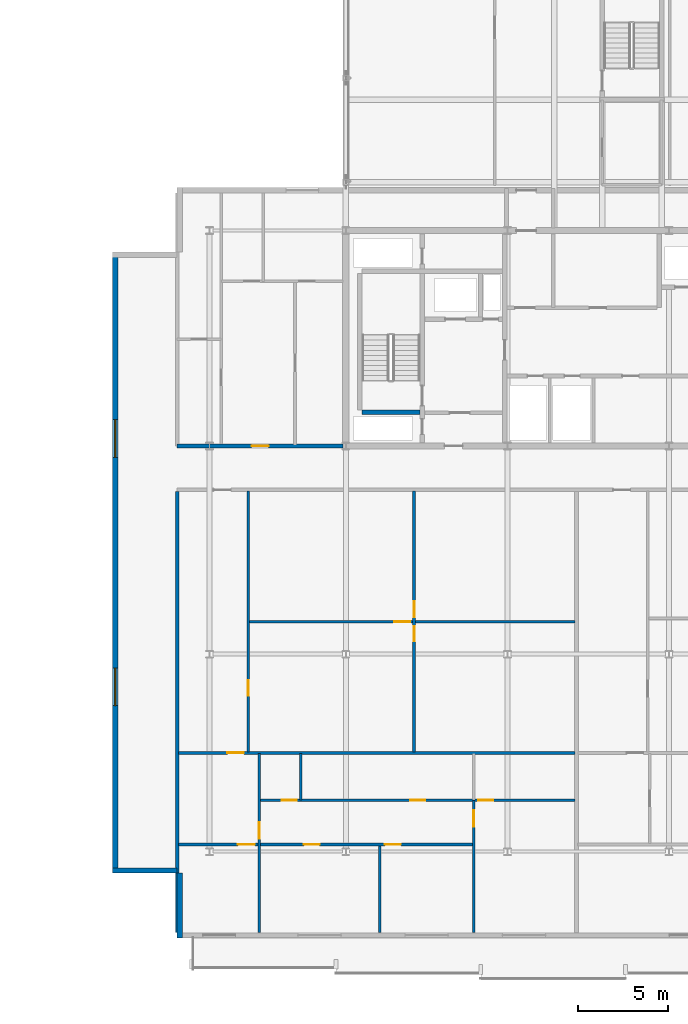
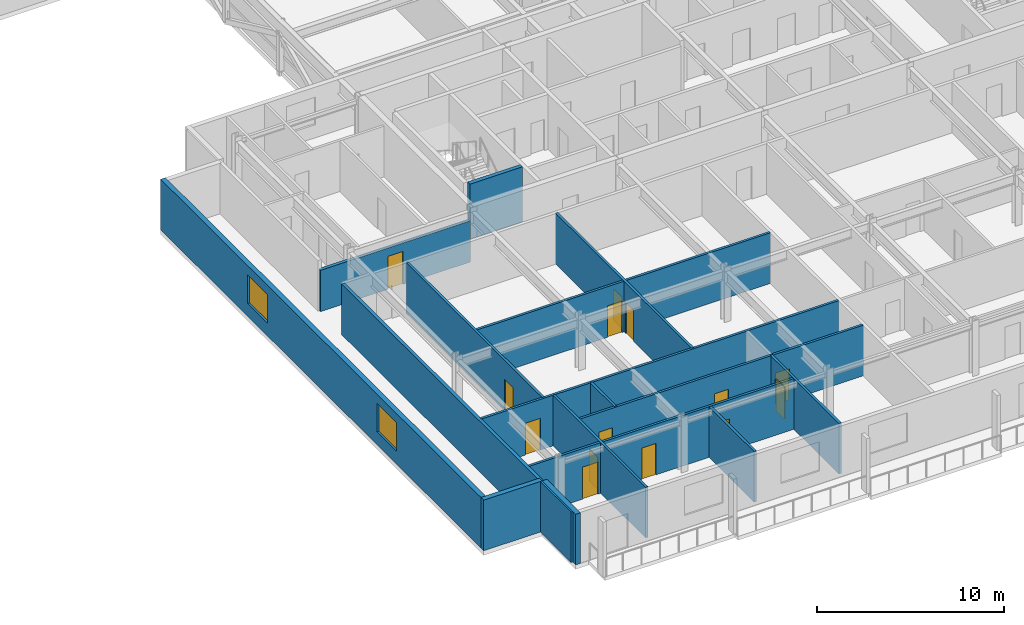
# One storey, part 17 of 36: 16 walls, 14 doors, 2 windows, 16 openings.
"""IFC4 building model written with IfcOpenShell, lengths in metres."""

import ifcopenshell
import ifcopenshell.guid

model = None  # the IFC model being written
_history = None  # IfcOwnerHistory: only IFC2X3 demands one
_inside = {}  # id of a spatial element -> (the spatial element, [elements in it])
_under = {}  # id of a project, library or spatial element -> (it, [spatial elements below it])
_declared = {}  # id of a project -> (the project, [libraries it declares])
_typed = {}  # id of a type object -> (the type object, [elements of that type])
_made_of = {}  # id of a material, layer set ... -> (it, [elements and type objects made of it])


def new_model(schema):
    """Start an empty IFC model of exactly this schema.

    Asked for "IFC4X3", IfcOpenShell would pick the latest addendum, in which some entities
    have other attributes; the version numbers below select the first issue.
    IFC2X3 requires an IfcOwnerHistory on every rooted entity: one is made here for all.
    """
    global model, _history
    if schema == "IFC4X3":
        model = ifcopenshell.file(schema_version=(4, 3, 0, 0))
    else:
        model = ifcopenshell.file(schema=schema)
    _inside.clear()
    _under.clear()
    _declared.clear()
    _typed.clear()
    _made_of.clear()
    _history = None
    if model.schema == "IFC2X3":
        org = make("IfcOrganization", Name="unknown")
        user = make(
            "IfcPersonAndOrganization",
            ThePerson=make("IfcPerson", FamilyName="unknown"),
            TheOrganization=org,
        )
        app = make(
            "IfcApplication",
            ApplicationDeveloper=org,
            Version="unknown",
            ApplicationFullName="unknown",
            ApplicationIdentifier="unknown",
        )
        _history = make(
            "IfcOwnerHistory",
            OwningUser=user,
            OwningApplication=app,
            ChangeAction="ADDED",
            CreationDate=0,
        )
    return model


def make(cls, **values):
    """One entity of the class cls with the attributes given. An attribute that is None is left unset."""
    return model.create_entity(
        cls, **{name: value for name, value in values.items() if value is not None}
    )


def rooted(cls, **values):
    """An entity with a GlobalId (a new one), such as an element, a storey or a relation."""
    return make(cls, GlobalId=ifcopenshell.guid.new(), OwnerHistory=_history, **values)


def si_unit(unit_type, name, prefix=None):
    """IfcSIUnit, for example si_unit("LENGTHUNIT", "METRE", prefix="MILLI")."""
    return make("IfcSIUnit", UnitType=unit_type, Prefix=prefix, Name=name)


def assignment(units):
    """IfcUnitAssignment: the units of a project."""
    return None if units is None else make("IfcUnitAssignment", Units=units)


def point(xyz):
    """IfcCartesianPoint."""
    return None if xyz is None else make("IfcCartesianPoint", Coordinates=xyz)


def direction(xyz):
    """IfcDirection."""
    return None if xyz is None else make("IfcDirection", DirectionRatios=xyz)


def frame(location, z_axis=None, x_axis=None):
    """IfcAxis2Placement3D, a coordinate frame: its origin and axes. An axis left out is left unset."""
    return make(
        "IfcAxis2Placement3D",
        Location=point(location),
        Axis=direction(z_axis),
        RefDirection=direction(x_axis),
    )


def frame_2d(location, x_axis=None):
    """IfcAxis2Placement2D, a coordinate frame in the plane: its origin and x axis."""
    return make(
        "IfcAxis2Placement2D", Location=point(location), RefDirection=direction(x_axis)
    )


def origin():
    """The frame at (0, 0, 0) with its axes left unset."""
    return frame((0.0, 0.0, 0.0))


def place(relative_to, where):
    """IfcLocalPlacement: puts the frame where relative to a parent placement (None: the world)."""
    return make(
        "IfcLocalPlacement", PlacementRelTo=relative_to, RelativePlacement=where
    )


def context(
    kind, dimensions, precision=None, world=None, true_north=None, identifier=None
):
    """IfcGeometricRepresentationContext, for example the 3D "Model" context."""
    return make(
        "IfcGeometricRepresentationContext",
        ContextIdentifier=identifier,
        ContextType=kind,
        CoordinateSpaceDimension=dimensions,
        Precision=precision,
        WorldCoordinateSystem=world,
        TrueNorth=true_north,
    )


def subcontext(parent, identifier, kind, view, scale=None):
    """IfcGeometricRepresentationSubContext, for example "Body" below "Model"."""
    return make(
        "IfcGeometricRepresentationSubContext",
        ContextIdentifier=identifier,
        ContextType=kind,
        ParentContext=parent,
        TargetScale=scale,
        TargetView=view,
    )


def project(units=None, contexts=None):
    """IfcProject with its units and contexts."""
    return rooted(
        "IfcProject",
        Name="project",
        RepresentationContexts=contexts,
        UnitsInContext=assignment(units),
    )


def spatial(cls, under=None, at=None, **own):
    """A site, building, storey or space (cls), placed at a placement, below another one or the project."""
    s = rooted(cls, ObjectPlacement=at, **own)
    if under is not None:
        _under.setdefault(under.id(), (under, []))[1].append(s)
    return s


def profile(cls, at=None, kind="AREA", **sizes):
    """A parametric profile (cls). Its sizes go by their IFC names, for example OverallWidth=200.0."""
    return make(cls, ProfileType=kind, Position=at, **sizes)


def rectangle(**sizes):
    """IfcRectangleProfileDef."""
    return profile("IfcRectangleProfileDef", **sizes)


def extrude(swept, where, along, depth):
    """IfcExtrudedAreaSolid: the profile swept, set in the frame where, extruded along a direction by depth."""
    return make(
        "IfcExtrudedAreaSolid",
        SweptArea=swept,
        Position=where,
        ExtrudedDirection=direction(along),
        Depth=depth,
    )


def shape(context_of_items, identifier, shape_type, items):
    """IfcShapeRepresentation: the items that make up one representation, for example the "Body"."""
    return make(
        "IfcShapeRepresentation",
        ContextOfItems=context_of_items,
        RepresentationIdentifier=identifier,
        RepresentationType=shape_type,
        Items=items,
    )


def material(Name=None, Category=None):
    """IfcMaterial."""
    return make("IfcMaterial", Name=Name, Category=Category)


def layer(
    of_material, thickness, ventilated=None, Name=None, Category=None, Priority=None
):
    """IfcMaterialLayer: one layer of a wall or slab, of a material (None: an air gap)."""
    return make(
        "IfcMaterialLayer",
        Material=of_material,
        LayerThickness=thickness,
        IsVentilated=ventilated,
        Name=Name,
        Category=Category,
        Priority=Priority,
    )


def layer_set(layers, Name=None):
    """IfcMaterialLayerSet."""
    return make("IfcMaterialLayerSet", MaterialLayers=layers, LayerSetName=Name)


def made_of(thing, what):
    """Note that an element or type object is made of a material, layer set ...; save() writes the relation."""
    if what is not None:
        _made_of.setdefault(what.id(), (what, []))[1].append(thing)
    return thing


def type_object(cls, material=None, **own):
    """A type object (cls), such as IfcWallType, which elements share."""
    return made_of(rooted(cls, **own), material)


def element(
    cls,
    number,
    at=None,
    inside=None,
    cuts=None,
    type_object=None,
    material=None,
    context=None,
    identifier="Body",
    shape_type=None,
    held_by="IfcProductDefinitionShape",
    body=None,
    shapes=None,
    **own,
):
    """One element of the class cls, such as IfcWall. Its Tag is "e" and its number.

    at: its placement. inside: the storey or other place that contains it. cuts: it is an
    opening in that element (IfcRelVoidsElement). A single representation is given by context,
    identifier, shape_type and body (its items); several are given by shapes. held_by: the class
    of the entity that holds the representations. save() writes the other relations.
    """
    e = rooted(cls, Tag="e%d" % number, ObjectPlacement=at, **own)
    if body is not None:
        shapes = [shape(context, identifier, shape_type, body)]
    if shapes is not None:
        e.Representation = make(held_by, Representations=shapes)
    if inside is not None:
        _inside.setdefault(inside.id(), (inside, []))[1].append(e)
    if cuts is not None:
        rooted(
            "IfcRelVoidsElement", RelatingBuildingElement=cuts, RelatedOpeningElement=e
        )
    if type_object is not None:
        _typed.setdefault(type_object.id(), (type_object, []))[1].append(e)
    return made_of(e, material)


def fill(opening, filler):
    """IfcRelFillsElement: the door or window that sits in an opening."""
    return rooted(
        "IfcRelFillsElement",
        RelatingOpeningElement=opening,
        RelatedBuildingElement=filler,
    )


def aggregate(whole, parts):
    """IfcRelAggregates: a whole, such as a stair, and the parts it consists of."""
    return rooted("IfcRelAggregates", RelatingObject=whole, RelatedObjects=parts)


def save(model, path):
    """Write the relations noted so far, then the file.

    IfcRelAggregates (storeys below a building ...), IfcRelContainedInSpatialStructure (elements
    in a storey), IfcRelDefinesByType, IfcRelAssociatesMaterial and IfcRelDeclares: one each for
    every whole, place, type object, material and project.
    """
    for whole, parts in _under.values():
        aggregate(whole, parts)
    for where, things in _inside.values():
        rooted(
            "IfcRelContainedInSpatialStructure",
            RelatedElements=things,
            RelatingStructure=where,
        )
    for kind, things in _typed.values():
        rooted("IfcRelDefinesByType", RelatedObjects=things, RelatingType=kind)
    for what, things in _made_of.values():
        rooted("IfcRelAssociatesMaterial", RelatedObjects=things, RelatingMaterial=what)
    for by, libraries in _declared.values():
        rooted("IfcRelDeclares", RelatingContext=by, RelatedDefinitions=libraries)
    model.write(path)


model = new_model("IFC4")

# Units and contexts
model_context = context("Model", 3, precision=1e-05, world=origin(), true_north=direction((0.0, 1.0)))
body_context = subcontext(model_context, "Body", "Model", "MODEL_VIEW")
ifc_project = project(units=[si_unit("LENGTHUNIT", "METRE"), si_unit("AREAUNIT", "SQUARE_METRE"), si_unit("VOLUMEUNIT", "CUBIC_METRE"), si_unit("PLANEANGLEUNIT", "RADIAN"), si_unit("MASSUNIT", "GRAM", prefix="KILO")], contexts=[model_context])

# Site, building, storey
site_placement = place(None, origin())
site = spatial("IfcSite", under=ifc_project, at=site_placement, CompositionType="ELEMENT")
building_placement = place(site_placement, origin())
building = spatial("IfcBuilding", under=site, at=building_placement, Name="Korimba Cascade Residences", CompositionType="ELEMENT")
storey_placement = place(building_placement, frame((0.0, 0.0, 142.89990234375)))
storey = spatial("IfcBuildingStorey", under=building, at=storey_placement, Name="L41", CompositionType="ELEMENT", Elevation=142.89990234375)

# Wall, openings, windows
ifc_material_1 = material(Name="Precast concrete C40/50", Category="concrete")
ifc_layer_1 = layer(ifc_material_1, 0.300048828125)
ifc_layer_set_1 = layer_set([ifc_layer_1], Name="Precast concrete C40/50")
wall_type_1 = type_object("IfcWallType", Name="EW-STONE-300", PredefinedType="STANDARD", material=ifc_layer_set_1)
wall_1_placement = place(storey_placement, frame((69.25, 29.199951171875, 0.0), z_axis=(0.0, 0.0, 1.0), x_axis=(0.0, -1.0, 0.0)))
wall_1 = element("IfcWall", 1, at=wall_1_placement, inside=storey, type_object=wall_type_1, Name="L41 T2 Perimeter Stone Wall E09", PredefinedType="STANDARD", context=body_context, shape_type="SweptSolid", body=[
    extrude(rectangle(XDim=34.599853515625, YDim=0.300048828125, at=frame_2d((17.2998046875, 0.0))), origin(), (0.0, 0.0, 1.0), 3.31005859375),
])
opening_1_placement = place(wall_1_placement, frame((9.330078125, 0.0, 0.85009765625)))
opening_1 = element("IfcOpeningElement", 2, at=opening_1_placement, cuts=wall_1, Name="Opening W-03", PredefinedType="OPENING", context=body_context, shape_type="SweptSolid", body=[
    extrude(rectangle(XDim=2.10009765625, YDim=1.85009765625, at=frame_2d((1.050048828125, 0.925048828125))), frame((0.0, 0.16015625, 0.0), z_axis=(0.0, -1.0, 0.0), x_axis=(1.0, 0.0, 0.0)), (0.0, 0.0, 1.0), 0.320068359375),
])
opening_2_placement = place(wall_1_placement, frame((23.169921875, 0.0, 0.85009765625)))
opening_2 = element("IfcOpeningElement", 3, at=opening_2_placement, cuts=wall_1, Name="Opening W-03", PredefinedType="OPENING", context=body_context, shape_type="SweptSolid", body=[
    extrude(rectangle(XDim=2.10009765625, YDim=1.85009765625, at=frame_2d((1.050048828125, 0.925048828125))), frame((0.0, 0.16015625, 0.0), z_axis=(0.0, -1.0, 0.0), x_axis=(1.0, 0.0, 0.0)), (0.0, 0.0, 1.0), 0.320068359375),
])
ifc_material_2 = material(Name="Double-Glazed Aluminium Window", Category="aluminium")
window_type = type_object("IfcWindowType", Name="WIN-CRN-2100", PartitioningType="DOUBLE_PANEL_HORIZONTAL", PredefinedType="WINDOW", material=ifc_material_2)
window_1_placement = place(opening_1_placement, origin())
window_1 = element("IfcWindow", 4, at=window_1_placement, inside=storey, type_object=window_type, Name="L41 T2 End View Window 9.1", OverallHeight=1.85009765625, OverallWidth=2.10009765625, PartitioningType="DOUBLE_PANEL_HORIZONTAL", PredefinedType="WINDOW", context=body_context, shape_type="SweptSolid", body=[
    extrude(rectangle(XDim=2.10009765625, YDim=1.85009765625, at=frame_2d((1.050048828125, 0.925048828125))), frame((0.0, 0.030029296875, 0.0), z_axis=(0.0, -1.0, 0.0), x_axis=(1.0, 0.0, 0.0)), (0.0, 0.0, 1.0), 0.06005859375),
])
fill(opening_1, window_1)
window_2_placement = place(opening_2_placement, origin())
window_2 = element("IfcWindow", 5, at=window_2_placement, inside=storey, type_object=window_type, Name="L41 T2 End View Window 9.2", OverallHeight=1.85009765625, OverallWidth=2.10009765625, PartitioningType="DOUBLE_PANEL_HORIZONTAL", PredefinedType="WINDOW", context=body_context, shape_type="SweptSolid", body=[
    extrude(rectangle(XDim=2.10009765625, YDim=1.85009765625, at=frame_2d((1.050048828125, 0.925048828125))), frame((0.0, 0.030029296875, 0.0), z_axis=(0.0, -1.0, 0.0), x_axis=(1.0, 0.0, 0.0)), (0.0, 0.0, 1.0), 0.06005859375),
])
fill(opening_2, window_2)

# Walls
wall_2_placement = place(storey_placement, frame((69.10009765625, -5.25, 0.0), z_axis=(0.0, 0.0, 1.0), x_axis=(1.0, 0.0, 0.0)))
element("IfcWall", 6, at=wall_2_placement, inside=storey, type_object=wall_type_1, Name="L41 T2 Perimeter Stone Wall E10", PredefinedType="STANDARD", context=body_context, shape_type="SweptSolid", body=[
    extrude(rectangle(XDim=3.599853515625, YDim=0.300048828125, at=frame_2d((1.7998046875, 0.0))), origin(), (0.0, 0.0, 1.0), 3.31005859375),
])
wall_3_placement = place(storey_placement, frame((72.85009765625, -5.39990234375, 0.0), z_axis=(0.0, 0.0, 1.0), x_axis=(0.0, -1.0, 0.0)))
element("IfcWall", 7, at=wall_3_placement, inside=storey, type_object=wall_type_1, Name="L41 T2 Perimeter Stone Wall E11", PredefinedType="STANDARD", context=body_context, shape_type="SweptSolid", body=[
    extrude(rectangle(XDim=3.60009765625, YDim=0.300048828125, at=frame_2d((1.800048828125, 0.0))), origin(), (0.0, 0.0, 1.0), 3.31005859375),
])

# Wall, opening, door
ifc_layer_2 = layer(ifc_material_1, 0.199951171875)
ifc_layer_set_2 = layer_set([ifc_layer_2], Name="Precast concrete C40/50")
wall_type_2 = type_object("IfcWallType", Name="WAL-IT-200", PredefinedType="PARTITIONING", material=ifc_layer_set_2)
wall_4_placement = place(storey_placement, frame((72.699951171875, 18.39990234375, 0.0), z_axis=(0.0, 0.0, 1.0), x_axis=(1.0, 0.0, 0.0)))
wall_4 = element("IfcWall", 8, at=wall_4_placement, inside=storey, type_object=wall_type_2, Name="L41 Partition Wall WAL-L41-T2-FW-S", PredefinedType="PARTITIONING", context=body_context, shape_type="SweptSolid", body=[
    extrude(rectangle(XDim=9.25, YDim=0.199951171875, at=frame_2d((4.625, 0.0))), origin(), (0.0, 0.0, 1.0), 2.697998046875),
])
opening_3_placement = place(wall_4_placement, frame((4.14990234375, 0.0, 0.0)))
opening_3 = element("IfcOpeningElement", 9, at=opening_3_placement, cuts=wall_4, Name="Opening D-UN1", PredefinedType="OPENING", context=body_context, shape_type="SweptSolid", body=[
    extrude(rectangle(XDim=0.949951171875, YDim=2.14990234375, at=frame_2d((0.47509765625, 1.074951171875))), frame((0.0, 0.10986328125, 0.0), z_axis=(0.0, -1.0, 0.0), x_axis=(1.0, 0.0, 0.0)), (0.0, 0.0, 1.0), 0.219970703125),
])
ifc_material_3 = material(Name="Fire-Rated Hardwood Apartment Entrance Door", Category="wood")
door_type_1 = type_object("IfcDoorType", Name="DR-FD60-950", OperationType="NOTDEFINED", PredefinedType="DOOR", material=ifc_material_3)
door_1_placement = place(opening_3_placement, origin())
door_1 = element("IfcDoor", 10, at=door_1_placement, inside=storey, type_object=door_type_1, Name="L41-T2-FW Entrance Door", OperationType="SINGLE_SWING_RIGHT", OverallHeight=2.14990234375, OverallWidth=0.949951171875, PredefinedType="DOOR", context=body_context, shape_type="SweptSolid", body=[
    extrude(rectangle(XDim=0.949951171875, YDim=2.14990234375, at=frame_2d((0.47509765625, 1.074951171875))), frame((0.0, 0.02490234375, 0.0), z_axis=(0.0, -1.0, 0.0), x_axis=(1.0, 0.0, 0.0)), (0.0, 0.0, 1.0), 0.050048828125),
])
fill(opening_3, door_1)

# Wall
wall_5_placement = place(storey_placement, frame((72.699951171875, -8.699951171875, 0.0), z_axis=(0.0, 0.0, 1.0), x_axis=(0.0, 1.0, 0.0)))
element("IfcWall", 11, at=wall_5_placement, inside=storey, type_object=wall_type_2, Name="L41 Partition Wall WAL-L41-T2-BNDWL", PredefinedType="PARTITIONING", context=body_context, shape_type="SweptSolid", body=[
    extrude(rectangle(XDim=24.570068359375, YDim=0.199951171875, at=frame_2d((12.28515625, 0.0))), origin(), (0.0, 0.0, 1.0), 3.31005859375),
])

# Wall, openings, doors
ifc_material_4 = material(Name="Insulated Acoustic Stud Partition", Category="gypsum")
ifc_layer_3 = layer(ifc_material_4, 0.14990234375)
ifc_layer_set_3 = layer_set([ifc_layer_3], Name="Insulated Acoustic Stud Partition")
wall_type_3 = type_object("IfcWallType", Name="WAL-PART-150", PredefinedType="PARTITIONING", material=ifc_layer_set_3)
wall_6_placement = place(storey_placement, frame((85.89990234375, 1.340087890625, 0.0), z_axis=(0.0, 0.0, 1.0), x_axis=(0.0, 1.0, 0.0)))
wall_6 = element("IfcWall", 12, at=wall_6_placement, inside=storey, type_object=wall_type_3, Name="L41 Partition Wall WAL-L41-T2-U01-FMV", PredefinedType="PARTITIONING", context=body_context, shape_type="SweptSolid", body=[
    extrude(rectangle(XDim=14.5498046875, YDim=0.14990234375, at=frame_2d((7.27490234375, 0.0))), origin(), (0.0, 0.0, 1.0), 3.31005859375),
])
opening_4_placement = place(wall_6_placement, frame((6.18505859375, 0.0, 0.0)))
opening_4 = element("IfcOpeningElement", 13, at=opening_4_placement, cuts=wall_6, Name="Opening D-BT1", PredefinedType="OPENING", context=body_context, shape_type="SweptSolid", body=[
    extrude(rectangle(XDim=0.840087890625, YDim=2.0400390625, at=frame_2d((0.419921875, 1.02001953125))), frame((0.0, 0.0849609375, 0.0), z_axis=(0.0, -1.0, 0.0), x_axis=(1.0, 0.0, 0.0)), (0.0, 0.0, 1.0), 0.169921875),
])
opening_5_placement = place(wall_6_placement, frame((7.52490234375, 0.0, 0.0)))
opening_5 = element("IfcOpeningElement", 14, at=opening_5_placement, cuts=wall_6, Name="Opening D-IN2", PredefinedType="OPENING", context=body_context, shape_type="SweptSolid", body=[
    extrude(rectangle(XDim=0.8798828125, YDim=2.06005859375, at=frame_2d((0.43994140625, 1.030029296875))), frame((0.0, 0.0849609375, 0.0), z_axis=(0.0, -1.0, 0.0), x_axis=(1.0, 0.0, 0.0)), (0.0, 0.0, 1.0), 0.169921875),
])
ifc_material_5 = material(Name="Moisture-Resistant Bathroom Timber Door", Category="wood")
door_type_2 = type_object("IfcDoorType", Name="DR-INT-850", OperationType="NOTDEFINED", PredefinedType="DOOR", material=ifc_material_5)
door_2_placement = place(opening_4_placement, origin())
door_2 = element("IfcDoor", 15, at=door_2_placement, inside=storey, type_object=door_type_2, Name="L41-T2-U01 Wardrobe Door", OperationType="SINGLE_SWING_LEFT", OverallHeight=2.0400390625, OverallWidth=0.840087890625, PredefinedType="DOOR", context=body_context, shape_type="SweptSolid", body=[
    extrude(rectangle(XDim=0.840087890625, YDim=2.0400390625, at=frame_2d((0.419921875, 1.02001953125))), frame((0.0, 0.02490234375, 0.0), z_axis=(0.0, -1.0, 0.0), x_axis=(1.0, 0.0, 0.0)), (0.0, 0.0, 1.0), 0.050048828125),
])
fill(opening_4, door_2)
ifc_material_6 = material(Name="Acoustic Timber Bedroom Door", Category="wood")
door_type_3 = type_object("IfcDoorType", Name="DR-INT-880", OperationType="NOTDEFINED", PredefinedType="DOOR", material=ifc_material_6)
door_3_placement = place(opening_5_placement, origin())
door_3 = element("IfcDoor", 16, at=door_3_placement, inside=storey, type_object=door_type_3, Name="L41-T2-U01 Music Lounge Door", OperationType="SINGLE_SWING_RIGHT", OverallHeight=2.06005859375, OverallWidth=0.8798828125, PredefinedType="DOOR", context=body_context, shape_type="SweptSolid", body=[
    extrude(rectangle(XDim=0.8798828125, YDim=2.06005859375, at=frame_2d((0.43994140625, 1.030029296875))), frame((0.0, 0.02490234375, 0.0), z_axis=(0.0, -1.0, 0.0), x_axis=(1.0, 0.0, 0.0)), (0.0, 0.0, 1.0), 0.050048828125),
])
fill(opening_5, door_3)

# Wall, opening, door
wall_7_placement = place(storey_placement, frame((76.72998046875, 8.614990234375, 0.0), z_axis=(0.0, 0.0, 1.0), x_axis=(1.0, 0.0, 0.0)))
wall_7 = element("IfcWall", 17, at=wall_7_placement, inside=storey, type_object=wall_type_3, Name="L41 Partition Wall WAL-L41-T2-U01-FMH", PredefinedType="PARTITIONING", context=body_context, shape_type="SweptSolid", body=[
    extrude(rectangle(XDim=18.14013671875, YDim=0.14990234375, at=frame_2d((9.070068359375, 0.0))), origin(), (0.0, 0.0, 1.0), 3.31005859375),
])
opening_6_placement = place(wall_7_placement, frame((8.070068359375, 0.0, 0.0)))
opening_6 = element("IfcOpeningElement", 18, at=opening_6_placement, cuts=wall_7, Name="Opening D-IN2", PredefinedType="OPENING", context=body_context, shape_type="SweptSolid", body=[
    extrude(rectangle(XDim=0.8798828125, YDim=2.06005859375, at=frame_2d((0.43994140625, 1.030029296875))), frame((0.0, 0.0849609375, 0.0), z_axis=(0.0, -1.0, 0.0), x_axis=(1.0, 0.0, 0.0)), (0.0, 0.0, 1.0), 0.169921875),
])
door_4_placement = place(opening_6_placement, origin())
door_4 = element("IfcDoor", 19, at=door_4_placement, inside=storey, type_object=door_type_3, Name="L41-T2-U01 Library Salon Door", OperationType="SINGLE_SWING_LEFT", OverallHeight=2.06005859375, OverallWidth=0.8798828125, PredefinedType="DOOR", context=body_context, shape_type="SweptSolid", body=[
    extrude(rectangle(XDim=0.8798828125, YDim=2.06005859375, at=frame_2d((0.43994140625, 1.030029296875))), frame((0.0, 0.02490234375, 0.0), z_axis=(0.0, -1.0, 0.0), x_axis=(1.0, 0.0, 0.0)), (0.0, 0.0, 1.0), 0.050048828125),
])
fill(opening_6, door_4)

wall_8_placement = place(storey_placement, frame((76.669921875, 1.340087890625, 0.0), z_axis=(0.0, 0.0, 1.0), x_axis=(0.0, 1.0, 0.0)))
wall_8 = element("IfcWall", 20, at=wall_8_placement, inside=storey, type_object=wall_type_3, Name="L41 Partition Wall WAL-L41-T2-U01-FV", PredefinedType="PARTITIONING", context=body_context, shape_type="SweptSolid", body=[
    extrude(rectangle(XDim=14.5498046875, YDim=0.14990234375, at=frame_2d((7.27490234375, 0.0))), origin(), (0.0, 0.0, 1.0), 3.31005859375),
])
opening_7_placement = place(wall_8_placement, frame((3.131591796875, 0.0, 0.0)))
opening_7 = element("IfcOpeningElement", 21, at=opening_7_placement, cuts=wall_8, Name="Opening D-IN2", PredefinedType="OPENING", context=body_context, shape_type="SweptSolid", body=[
    extrude(rectangle(XDim=0.8798828125, YDim=2.06005859375, at=frame_2d((0.43994140625, 1.030029296875))), frame((0.0, 0.0849609375, 0.0), z_axis=(0.0, -1.0, 0.0), x_axis=(1.0, 0.0, 0.0)), (0.0, 0.0, 1.0), 0.169921875),
])
door_5_placement = place(opening_7_placement, origin())
door_5 = element("IfcDoor", 22, at=door_5_placement, inside=storey, type_object=door_type_3, Name="L41-T2-U01 Media Lounge Door", OperationType="SINGLE_SWING_RIGHT", OverallHeight=2.06005859375, OverallWidth=0.8798828125, PredefinedType="DOOR", context=body_context, shape_type="SweptSolid", body=[
    extrude(rectangle(XDim=0.8798828125, YDim=2.06005859375, at=frame_2d((0.43994140625, 1.030029296875))), frame((0.0, 0.02490234375, 0.0), z_axis=(0.0, -1.0, 0.0), x_axis=(1.0, 0.0, 0.0)), (0.0, 0.0, 1.0), 0.050048828125),
])
fill(opening_7, door_5)

# Walls
wall_9_placement = place(storey_placement, frame((79.590087890625, -1.320068359375, 0.0), z_axis=(0.0, 0.0, 1.0), x_axis=(0.0, 1.0, 0.0)))
element("IfcWall", 23, at=wall_9_placement, inside=storey, type_object=wall_type_3, Name="L41 Partition Wall WAL-L41-T2-U01-VDRS", PredefinedType="PARTITIONING", context=body_context, shape_type="SweptSolid", body=[
    extrude(rectangle(XDim=2.580078125, YDim=0.14990234375, at=frame_2d((1.2900390625, 0.0))), origin(), (0.0, 0.0, 1.0), 3.31005859375),
])
wall_10_placement = place(storey_placement, frame((83.97998046875, -8.699951171875, 0.0), z_axis=(0.0, 0.0, 1.0), x_axis=(0.0, 1.0, 0.0)))
element("IfcWall", 24, at=wall_10_placement, inside=storey, type_object=wall_type_3, Name="L41 Partition Wall WAL-L41-T2-U01-VSTD", PredefinedType="PARTITIONING", context=body_context, shape_type="SweptSolid", body=[
    extrude(rectangle(XDim=4.820068359375, YDim=0.14990234375, at=frame_2d((2.41015625, 0.0))), origin(), (0.0, 0.0, 1.0), 3.31005859375),
])

# Wall, opening, door
wall_11_placement = place(storey_placement, frame((77.280029296875, -8.699951171875, 0.0), z_axis=(0.0, 0.0, 1.0), x_axis=(0.0, 1.0, 0.0)))
wall_11 = element("IfcWall", 25, at=wall_11_placement, inside=storey, type_object=wall_type_3, Name="L41 Partition Wall WAL-L41-T2-U01-V1", PredefinedType="PARTITIONING", context=body_context, shape_type="SweptSolid", body=[
    extrude(rectangle(XDim=9.9599609375, YDim=0.14990234375, at=frame_2d((4.97998046875, 0.0))), origin(), (0.0, 0.0, 1.0), 3.31005859375),
])
opening_8_placement = place(wall_11_placement, frame((5.219970703125, 0.0, 0.0)))
opening_8 = element("IfcOpeningElement", 26, at=opening_8_placement, cuts=wall_11, Name="Opening D-IN1", PredefinedType="OPENING", context=body_context, shape_type="SweptSolid", body=[
    extrude(rectangle(XDim=0.919921875, YDim=2.080078125, at=frame_2d((0.4599609375, 1.0400390625))), frame((0.0, 0.0849609375, 0.0), z_axis=(0.0, -1.0, 0.0), x_axis=(1.0, 0.0, 0.0)), (0.0, 0.0, 1.0), 0.169921875),
])
ifc_material_7 = material(Name="Acoustic Timber Living Door", Category="wood")
door_type_4 = type_object("IfcDoorType", Name="DR-INT-920", OperationType="NOTDEFINED", PredefinedType="DOOR", material=ifc_material_7)
door_6_placement = place(opening_8_placement, origin())
door_6 = element("IfcDoor", 27, at=door_6_placement, inside=storey, type_object=door_type_4, Name="L41-T2-U01 Hallway Door", OperationType="SINGLE_SWING_LEFT", OverallHeight=2.080078125, OverallWidth=0.919921875, PredefinedType="DOOR", context=body_context, shape_type="SweptSolid", body=[
    extrude(rectangle(XDim=0.919921875, YDim=2.080078125, at=frame_2d((0.4599609375, 1.0400390625))), frame((0.0, 0.02490234375, 0.0), z_axis=(0.0, -1.0, 0.0), x_axis=(1.0, 0.0, 0.0)), (0.0, 0.0, 1.0), 0.050048828125),
])
fill(opening_8, door_6)

wall_12_placement = place(storey_placement, frame((89.219970703125, -8.699951171875, 0.0), z_axis=(0.0, 0.0, 1.0), x_axis=(0.0, 1.0, 0.0)))
wall_12 = element("IfcWall", 28, at=wall_12_placement, inside=storey, type_object=wall_type_3, Name="L41 Partition Wall WAL-L41-T2-U01-V2FULL", PredefinedType="PARTITIONING", context=body_context, shape_type="SweptSolid", body=[
    extrude(rectangle(XDim=7.33984375, YDim=0.14990234375, at=frame_2d((3.669921875, 0.0))), origin(), (0.0, 0.0, 1.0), 3.31005859375),
])
opening_9_placement = place(wall_12_placement, frame((5.896728515625, 0.0, 0.0)))
opening_9 = element("IfcOpeningElement", 29, at=opening_9_placement, cuts=wall_12, Name="Opening D-IN1", PredefinedType="OPENING", context=body_context, shape_type="SweptSolid", body=[
    extrude(rectangle(XDim=0.919921875, YDim=2.080078125, at=frame_2d((0.4599609375, 1.0400390625))), frame((0.0, 0.0849609375, 0.0), z_axis=(0.0, -1.0, 0.0), x_axis=(1.0, 0.0, 0.0)), (0.0, 0.0, 1.0), 0.169921875),
])
door_7_placement = place(opening_9_placement, origin())
door_7 = element("IfcDoor", 30, at=door_7_placement, inside=storey, type_object=door_type_4, Name="L41-T2-U01 Master Bedroom Door", OperationType="SINGLE_SWING_RIGHT", OverallHeight=2.080078125, OverallWidth=0.919921875, PredefinedType="DOOR", context=body_context, shape_type="SweptSolid", body=[
    extrude(rectangle(XDim=0.919921875, YDim=2.080078125, at=frame_2d((0.4599609375, 1.0400390625))), frame((0.0, 0.02490234375, 0.0), z_axis=(0.0, -1.0, 0.0), x_axis=(1.0, 0.0, 0.0)), (0.0, 0.0, 1.0), 0.050048828125),
])
fill(opening_9, door_7)

# Wall, openings, doors
wall_13_placement = place(storey_placement, frame((77.320068359375, -1.340087890625, 0.0), z_axis=(0.0, 0.0, 1.0), x_axis=(1.0, 0.0, 0.0)))
wall_13 = element("IfcWall", 31, at=wall_13_placement, inside=storey, type_object=wall_type_3, Name="L41 Partition Wall WAL-L41-T2-U01-HWALL", PredefinedType="PARTITIONING", context=body_context, shape_type="SweptSolid", body=[
    extrude(rectangle(XDim=17.550048828125, YDim=0.14990234375, at=frame_2d((8.77490234375, 0.0))), origin(), (0.0, 0.0, 1.0), 3.31005859375),
])
opening_10_placement = place(wall_13_placement, frame((1.2099609375, 0.0, 0.0)))
opening_10 = element("IfcOpeningElement", 32, at=opening_10_placement, cuts=wall_13, Name="Opening D-BT1", PredefinedType="OPENING", context=body_context, shape_type="SweptSolid", body=[
    extrude(rectangle(XDim=0.840087890625, YDim=2.0400390625, at=frame_2d((0.419921875, 1.02001953125))), frame((0.0, 0.0849609375, 0.0), z_axis=(0.0, -1.0, 0.0), x_axis=(1.0, 0.0, 0.0)), (0.0, 0.0, 1.0), 0.169921875),
])
opening_11_placement = place(wall_13_placement, frame((8.35498046875, 0.0, 0.0)))
opening_11 = element("IfcOpeningElement", 33, at=opening_11_placement, cuts=wall_13, Name="Opening D-BT1", PredefinedType="OPENING", context=body_context, shape_type="SweptSolid", body=[
    extrude(rectangle(XDim=0.840087890625, YDim=2.0400390625, at=frame_2d((0.419921875, 1.02001953125))), frame((0.0, 0.0849609375, 0.0), z_axis=(0.0, -1.0, 0.0), x_axis=(1.0, 0.0, 0.0)), (0.0, 0.0, 1.0), 0.169921875),
])
opening_12_placement = place(wall_13_placement, frame((12.14990234375, 0.0, 0.0)))
opening_12 = element("IfcOpeningElement", 34, at=opening_12_placement, cuts=wall_13, Name="Opening D-BT1", PredefinedType="OPENING", context=body_context, shape_type="SweptSolid", body=[
    extrude(rectangle(XDim=0.840087890625, YDim=2.0400390625, at=frame_2d((0.419921875, 1.02001953125))), frame((0.0, 0.0849609375, 0.0), z_axis=(0.0, -1.0, 0.0), x_axis=(1.0, 0.0, 0.0)), (0.0, 0.0, 1.0), 0.169921875),
])
door_8_placement = place(opening_10_placement, origin())
door_8 = element("IfcDoor", 35, at=door_8_placement, inside=storey, type_object=door_type_2, Name="L41-T2-U01 Family Bathroom Door", OperationType="SINGLE_SWING_LEFT", OverallHeight=2.0400390625, OverallWidth=0.840087890625, PredefinedType="DOOR", context=body_context, shape_type="SweptSolid", body=[
    extrude(rectangle(XDim=0.840087890625, YDim=2.0400390625, at=frame_2d((0.419921875, 1.02001953125))), frame((0.0, 0.02490234375, 0.0), z_axis=(0.0, -1.0, 0.0), x_axis=(1.0, 0.0, 0.0)), (0.0, 0.0, 1.0), 0.050048828125),
])
fill(opening_10, door_8)
door_9_placement = place(opening_11_placement, origin())
door_9 = element("IfcDoor", 36, at=door_9_placement, inside=storey, type_object=door_type_2, Name="L41-T2-U01 Dressing Room Door", OperationType="SINGLE_SWING_RIGHT", OverallHeight=2.0400390625, OverallWidth=0.840087890625, PredefinedType="DOOR", context=body_context, shape_type="SweptSolid", body=[
    extrude(rectangle(XDim=0.840087890625, YDim=2.0400390625, at=frame_2d((0.419921875, 1.02001953125))), frame((0.0, 0.02490234375, 0.0), z_axis=(0.0, -1.0, 0.0), x_axis=(1.0, 0.0, 0.0)), (0.0, 0.0, 1.0), 0.050048828125),
])
fill(opening_11, door_9)
door_10_placement = place(opening_12_placement, origin())
door_10 = element("IfcDoor", 37, at=door_10_placement, inside=storey, type_object=door_type_2, Name="L41-T2-U01 En-Suite Door", OperationType="SINGLE_SWING_LEFT", OverallHeight=2.0400390625, OverallWidth=0.840087890625, PredefinedType="DOOR", context=body_context, shape_type="SweptSolid", body=[
    extrude(rectangle(XDim=0.840087890625, YDim=2.0400390625, at=frame_2d((0.419921875, 1.02001953125))), frame((0.0, 0.02490234375, 0.0), z_axis=(0.0, -1.0, 0.0), x_axis=(1.0, 0.0, 0.0)), (0.0, 0.0, 1.0), 0.050048828125),
])
fill(opening_12, door_10)

# Wall, opening, door
wall_14_placement = place(storey_placement, frame((72.780029296875, 1.300048828125, 0.0), z_axis=(0.0, 0.0, 1.0), x_axis=(1.0, 0.0, 0.0)))
wall_14 = element("IfcWall", 38, at=wall_14_placement, inside=storey, type_object=wall_type_3, Name="L41 Partition Wall WAL-L41-T2-U01-MW", PredefinedType="PARTITIONING", context=body_context, shape_type="SweptSolid", body=[
    extrude(rectangle(XDim=22.090087890625, YDim=0.14990234375, at=frame_2d((11.044921875, 0.0))), origin(), (0.0, 0.0, 1.0), 3.31005859375),
])
opening_13_placement = place(wall_14_placement, frame((2.719970703125, 0.0, 0.0)))
opening_13 = element("IfcOpeningElement", 39, at=opening_13_placement, cuts=wall_14, Name="Opening D-IN1", PredefinedType="OPENING", context=body_context, shape_type="SweptSolid", body=[
    extrude(rectangle(XDim=0.919921875, YDim=2.080078125, at=frame_2d((0.4599609375, 1.0400390625))), frame((0.0, 0.0849609375, 0.0), z_axis=(0.0, -1.0, 0.0), x_axis=(1.0, 0.0, 0.0)), (0.0, 0.0, 1.0), 0.169921875),
])
door_11_placement = place(opening_13_placement, origin())
door_11 = element("IfcDoor", 40, at=door_11_placement, inside=storey, type_object=door_type_4, Name="L41-T2-U01 Kitchen Door", OperationType="SINGLE_SWING_RIGHT", OverallHeight=2.080078125, OverallWidth=0.919921875, PredefinedType="DOOR", context=body_context, shape_type="SweptSolid", body=[
    extrude(rectangle(XDim=0.919921875, YDim=2.080078125, at=frame_2d((0.4599609375, 1.0400390625))), frame((0.0, 0.02490234375, 0.0), z_axis=(0.0, -1.0, 0.0), x_axis=(1.0, 0.0, 0.0)), (0.0, 0.0, 1.0), 0.050048828125),
])
fill(opening_13, door_11)

# Wall, openings, doors
wall_15_placement = place(storey_placement, frame((72.780029296875, -3.800048828125, 0.0), z_axis=(0.0, 0.0, 1.0), x_axis=(1.0, 0.0, 0.0)))
wall_15 = element("IfcWall", 41, at=wall_15_placement, inside=storey, type_object=wall_type_3, Name="L41 Partition Wall WAL-L41-T2-U01-HZ", PredefinedType="PARTITIONING", context=body_context, shape_type="SweptSolid", body=[
    extrude(rectangle(XDim=16.43994140625, YDim=0.14990234375, at=frame_2d((8.219970703125, 0.0))), origin(), (0.0, 0.0, 1.0), 3.31005859375),
])
opening_14_placement = place(wall_15_placement, frame((3.31005859375, 0.0, 0.0)))
opening_14 = element("IfcOpeningElement", 42, at=opening_14_placement, cuts=wall_15, Name="Opening D-IN0", PredefinedType="OPENING", context=body_context, shape_type="SweptSolid", body=[
    extrude(rectangle(XDim=0.93994140625, YDim=2.10009765625, at=frame_2d((0.469970703125, 1.050048828125))), frame((0.0, 0.0849609375, 0.0), z_axis=(0.0, -1.0, 0.0), x_axis=(1.0, 0.0, 0.0)), (0.0, 0.0, 1.0), 0.169921875),
])
opening_15_placement = place(wall_15_placement, frame((6.9794921875, 0.0, 0.0)))
opening_15 = element("IfcOpeningElement", 43, at=opening_15_placement, cuts=wall_15, Name="Opening D-IN2", PredefinedType="OPENING", context=body_context, shape_type="SweptSolid", body=[
    extrude(rectangle(XDim=0.8798828125, YDim=2.06005859375, at=frame_2d((0.43994140625, 1.030029296875))), frame((0.0, 0.0849609375, 0.0), z_axis=(0.0, -1.0, 0.0), x_axis=(1.0, 0.0, 0.0)), (0.0, 0.0, 1.0), 0.169921875),
])
opening_16_placement = place(wall_15_placement, frame((11.498291015625, 0.0, 0.0)))
opening_16 = element("IfcOpeningElement", 44, at=opening_16_placement, cuts=wall_15, Name="Opening D-IN2", PredefinedType="OPENING", context=body_context, shape_type="SweptSolid", body=[
    extrude(rectangle(XDim=0.8798828125, YDim=2.06005859375, at=frame_2d((0.43994140625, 1.030029296875))), frame((0.0, 0.0849609375, 0.0), z_axis=(0.0, -1.0, 0.0), x_axis=(1.0, 0.0, 0.0)), (0.0, 0.0, 1.0), 0.169921875),
])
door_12_placement = place(opening_15_placement, origin())
door_12 = element("IfcDoor", 45, at=door_12_placement, inside=storey, type_object=door_type_3, Name="L41-T2-U01 Bedroom 2 Door", OperationType="SINGLE_SWING_RIGHT", OverallHeight=2.06005859375, OverallWidth=0.8798828125, PredefinedType="DOOR", context=body_context, shape_type="SweptSolid", body=[
    extrude(rectangle(XDim=0.8798828125, YDim=2.06005859375, at=frame_2d((0.43994140625, 1.030029296875))), frame((0.0, 0.02490234375, 0.0), z_axis=(0.0, -1.0, 0.0), x_axis=(1.0, 0.0, 0.0)), (0.0, 0.0, 1.0), 0.050048828125),
])
fill(opening_15, door_12)
door_13_placement = place(opening_16_placement, origin())
door_13 = element("IfcDoor", 46, at=door_13_placement, inside=storey, type_object=door_type_3, Name="L41-T2-U01 Study Door", OperationType="SINGLE_SWING_LEFT", OverallHeight=2.06005859375, OverallWidth=0.8798828125, PredefinedType="DOOR", context=body_context, shape_type="SweptSolid", body=[
    extrude(rectangle(XDim=0.8798828125, YDim=2.06005859375, at=frame_2d((0.43994140625, 1.030029296875))), frame((0.0, 0.02490234375, 0.0), z_axis=(0.0, -1.0, 0.0), x_axis=(1.0, 0.0, 0.0)), (0.0, 0.0, 1.0), 0.050048828125),
])
fill(opening_16, door_13)
ifc_material_8 = material(Name="Acoustic Timber Living Archway Door", Category="wood")
door_type_5 = type_object("IfcDoorType", Name="DR-INT-950", OperationType="NOTDEFINED", PredefinedType="DOOR", material=ifc_material_8)
door_14_placement = place(opening_14_placement, origin())
door_14 = element("IfcDoor", 47, at=door_14_placement, inside=storey, type_object=door_type_5, Name="L41-T2-U01 Living Room Door", OperationType="SINGLE_SWING_LEFT", OverallHeight=2.10009765625, OverallWidth=0.93994140625, PredefinedType="DOOR", context=body_context, shape_type="SweptSolid", body=[
    extrude(rectangle(XDim=0.93994140625, YDim=2.10009765625, at=frame_2d((0.469970703125, 1.050048828125))), frame((0.0, 0.02490234375, 0.0), z_axis=(0.0, -1.0, 0.0), x_axis=(1.0, 0.0, 0.0)), (0.0, 0.0, 1.0), 0.050048828125),
])
fill(opening_14, door_14)

# Wall
ifc_material_9 = material(Name="Concrete C50/60", Category="concrete")
ifc_layer_4 = layer(ifc_material_9, 0.25)
ifc_layer_set_4 = layer_set([ifc_layer_4], Name="Concrete C50/60")
wall_type_4 = type_object("IfcWallType", Name="WAL-SHAFT-250", PredefinedType="SHEAR", material=ifc_layer_set_4)
wall_16_placement = place(storey_placement, frame((83.0, 20.27490234375, 0.0), z_axis=(0.0, 0.0, 1.0), x_axis=(1.0, 0.0, 0.0)))
element("IfcWall", 48, at=wall_16_placement, inside=storey, type_object=wall_type_4, Name="L41 Core Shear Wall CW-L41-T2-STE1S", PredefinedType="SHEAR", context=body_context, shape_type="SweptSolid", body=[
    extrude(rectangle(XDim=3.239990234375, YDim=0.25, at=frame_2d((1.6201171875, 0.0))), origin(), (0.0, 0.0, 1.0), 3.60009765625),
])

save(model, "model.ifc")
